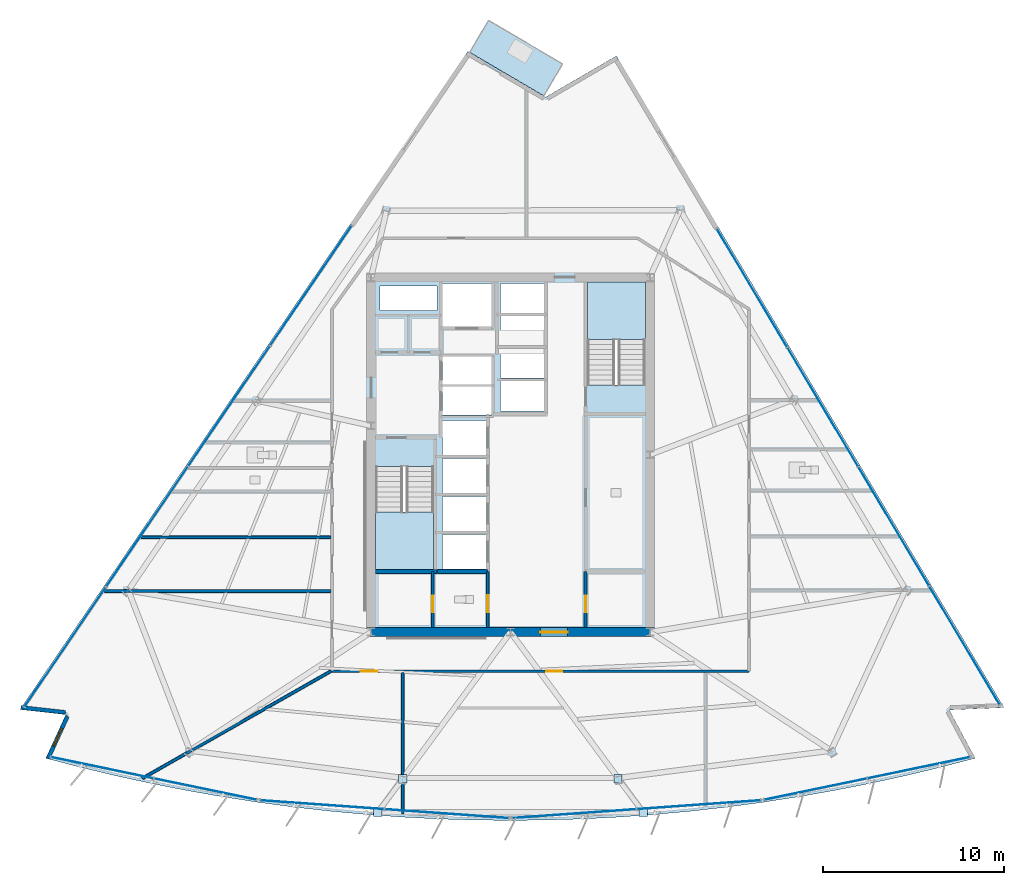
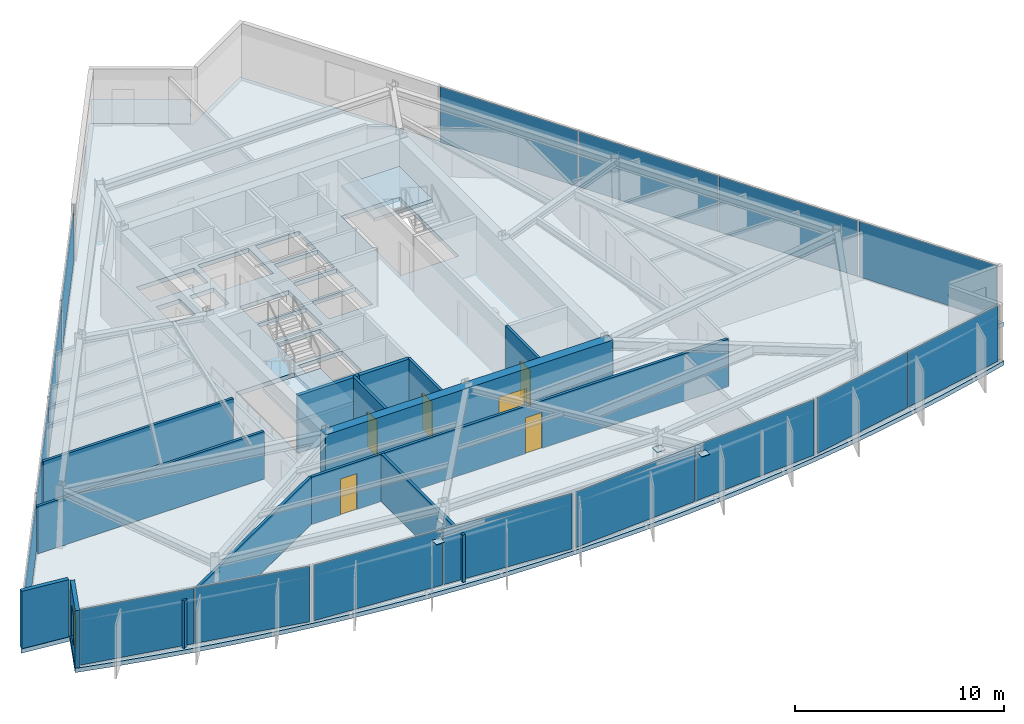
# One storey, part 8 of 16: 20 plates, 13 walls, 6 doors, 4 slabs, 1 window, 7 openings, 8 elements without a shape of their own.
"""IFC4 building model written with IfcOpenShell, lengths in metres."""

import ifcopenshell
import ifcopenshell.guid

model = None  # the IFC model being written
_history = None  # IfcOwnerHistory: only IFC2X3 demands one
_inside = {}  # id of a spatial element -> (the spatial element, [elements in it])
_under = {}  # id of a project, library or spatial element -> (it, [spatial elements below it])
_declared = {}  # id of a project -> (the project, [libraries it declares])
_typed = {}  # id of a type object -> (the type object, [elements of that type])
_made_of = {}  # id of a material, layer set ... -> (it, [elements and type objects made of it])


def new_model(schema):
    """Start an empty IFC model of exactly this schema.

    Asked for "IFC4X3", IfcOpenShell would pick the latest addendum, in which some entities
    have other attributes; the version numbers below select the first issue.
    IFC2X3 requires an IfcOwnerHistory on every rooted entity: one is made here for all.
    """
    global model, _history
    if schema == "IFC4X3":
        model = ifcopenshell.file(schema_version=(4, 3, 0, 0))
    else:
        model = ifcopenshell.file(schema=schema)
    _inside.clear()
    _under.clear()
    _declared.clear()
    _typed.clear()
    _made_of.clear()
    _history = None
    if model.schema == "IFC2X3":
        org = make("IfcOrganization", Name="unknown")
        user = make(
            "IfcPersonAndOrganization",
            ThePerson=make("IfcPerson", FamilyName="unknown"),
            TheOrganization=org,
        )
        app = make(
            "IfcApplication",
            ApplicationDeveloper=org,
            Version="unknown",
            ApplicationFullName="unknown",
            ApplicationIdentifier="unknown",
        )
        _history = make(
            "IfcOwnerHistory",
            OwningUser=user,
            OwningApplication=app,
            ChangeAction="ADDED",
            CreationDate=0,
        )
    return model


def make(cls, **values):
    """One entity of the class cls with the attributes given. An attribute that is None is left unset."""
    return model.create_entity(
        cls, **{name: value for name, value in values.items() if value is not None}
    )


def rooted(cls, **values):
    """An entity with a GlobalId (a new one), such as an element, a storey or a relation."""
    return make(cls, GlobalId=ifcopenshell.guid.new(), OwnerHistory=_history, **values)


def si_unit(unit_type, name, prefix=None):
    """IfcSIUnit, for example si_unit("LENGTHUNIT", "METRE", prefix="MILLI")."""
    return make("IfcSIUnit", UnitType=unit_type, Prefix=prefix, Name=name)


def assignment(units):
    """IfcUnitAssignment: the units of a project."""
    return None if units is None else make("IfcUnitAssignment", Units=units)


def point(xyz):
    """IfcCartesianPoint."""
    return None if xyz is None else make("IfcCartesianPoint", Coordinates=xyz)


def direction(xyz):
    """IfcDirection."""
    return None if xyz is None else make("IfcDirection", DirectionRatios=xyz)


def frame(location, z_axis=None, x_axis=None):
    """IfcAxis2Placement3D, a coordinate frame: its origin and axes. An axis left out is left unset."""
    return make(
        "IfcAxis2Placement3D",
        Location=point(location),
        Axis=direction(z_axis),
        RefDirection=direction(x_axis),
    )


def frame_2d(location, x_axis=None):
    """IfcAxis2Placement2D, a coordinate frame in the plane: its origin and x axis."""
    return make(
        "IfcAxis2Placement2D", Location=point(location), RefDirection=direction(x_axis)
    )


def origin():
    """The frame at (0, 0, 0) with its axes left unset."""
    return frame((0.0, 0.0, 0.0))


def origin_2d():
    """The frame at (0, 0) in the plane with its x axis left unset."""
    return frame_2d((0.0, 0.0))


def place(relative_to, where):
    """IfcLocalPlacement: puts the frame where relative to a parent placement (None: the world)."""
    return make(
        "IfcLocalPlacement", PlacementRelTo=relative_to, RelativePlacement=where
    )


def context(
    kind, dimensions, precision=None, world=None, true_north=None, identifier=None
):
    """IfcGeometricRepresentationContext, for example the 3D "Model" context."""
    return make(
        "IfcGeometricRepresentationContext",
        ContextIdentifier=identifier,
        ContextType=kind,
        CoordinateSpaceDimension=dimensions,
        Precision=precision,
        WorldCoordinateSystem=world,
        TrueNorth=true_north,
    )


def subcontext(parent, identifier, kind, view, scale=None):
    """IfcGeometricRepresentationSubContext, for example "Body" below "Model"."""
    return make(
        "IfcGeometricRepresentationSubContext",
        ContextIdentifier=identifier,
        ContextType=kind,
        ParentContext=parent,
        TargetScale=scale,
        TargetView=view,
    )


def project(units=None, contexts=None):
    """IfcProject with its units and contexts."""
    return rooted(
        "IfcProject",
        Name="project",
        RepresentationContexts=contexts,
        UnitsInContext=assignment(units),
    )


def spatial(cls, under=None, at=None, **own):
    """A site, building, storey or space (cls), placed at a placement, below another one or the project."""
    s = rooted(cls, ObjectPlacement=at, **own)
    if under is not None:
        _under.setdefault(under.id(), (under, []))[1].append(s)
    return s


def polyline(points):
    """IfcPolyline through the points."""
    return make("IfcPolyline", Points=[point(p) for p in points])


def profile(cls, at=None, kind="AREA", **sizes):
    """A parametric profile (cls). Its sizes go by their IFC names, for example OverallWidth=200.0."""
    return make(cls, ProfileType=kind, Position=at, **sizes)


def rectangle(**sizes):
    """IfcRectangleProfileDef."""
    return profile("IfcRectangleProfileDef", **sizes)


def outline(outer, holes=None, kind="AREA"):
    """IfcArbitraryClosedProfileDef: a profile drawn as a closed curve; with holes, ...WithVoids."""
    if holes is None:
        return make("IfcArbitraryClosedProfileDef", ProfileType=kind, OuterCurve=outer)
    return make(
        "IfcArbitraryProfileDefWithVoids",
        ProfileType=kind,
        OuterCurve=outer,
        InnerCurves=holes,
    )


def extrude(swept, where, along, depth):
    """IfcExtrudedAreaSolid: the profile swept, set in the frame where, extruded along a direction by depth."""
    return make(
        "IfcExtrudedAreaSolid",
        SweptArea=swept,
        Position=where,
        ExtrudedDirection=direction(along),
        Depth=depth,
    )


def shape(context_of_items, identifier, shape_type, items):
    """IfcShapeRepresentation: the items that make up one representation, for example the "Body"."""
    return make(
        "IfcShapeRepresentation",
        ContextOfItems=context_of_items,
        RepresentationIdentifier=identifier,
        RepresentationType=shape_type,
        Items=items,
    )


def material(Name=None, Category=None):
    """IfcMaterial."""
    return make("IfcMaterial", Name=Name, Category=Category)


def layer(
    of_material, thickness, ventilated=None, Name=None, Category=None, Priority=None
):
    """IfcMaterialLayer: one layer of a wall or slab, of a material (None: an air gap)."""
    return make(
        "IfcMaterialLayer",
        Material=of_material,
        LayerThickness=thickness,
        IsVentilated=ventilated,
        Name=Name,
        Category=Category,
        Priority=Priority,
    )


def layer_set(layers, Name=None):
    """IfcMaterialLayerSet."""
    return make("IfcMaterialLayerSet", MaterialLayers=layers, LayerSetName=Name)


def made_of(thing, what):
    """Note that an element or type object is made of a material, layer set ...; save() writes the relation."""
    if what is not None:
        _made_of.setdefault(what.id(), (what, []))[1].append(thing)
    return thing


def type_object(cls, material=None, **own):
    """A type object (cls), such as IfcWallType, which elements share."""
    return made_of(rooted(cls, **own), material)


def element(
    cls,
    number,
    at=None,
    inside=None,
    cuts=None,
    type_object=None,
    material=None,
    context=None,
    identifier="Body",
    shape_type=None,
    held_by="IfcProductDefinitionShape",
    body=None,
    shapes=None,
    **own,
):
    """One element of the class cls, such as IfcWall. Its Tag is "e" and its number.

    at: its placement. inside: the storey or other place that contains it. cuts: it is an
    opening in that element (IfcRelVoidsElement). A single representation is given by context,
    identifier, shape_type and body (its items); several are given by shapes. held_by: the class
    of the entity that holds the representations. save() writes the other relations.
    """
    e = rooted(cls, Tag="e%d" % number, ObjectPlacement=at, **own)
    if body is not None:
        shapes = [shape(context, identifier, shape_type, body)]
    if shapes is not None:
        e.Representation = make(held_by, Representations=shapes)
    if inside is not None:
        _inside.setdefault(inside.id(), (inside, []))[1].append(e)
    if cuts is not None:
        rooted(
            "IfcRelVoidsElement", RelatingBuildingElement=cuts, RelatedOpeningElement=e
        )
    if type_object is not None:
        _typed.setdefault(type_object.id(), (type_object, []))[1].append(e)
    return made_of(e, material)


def fill(opening, filler):
    """IfcRelFillsElement: the door or window that sits in an opening."""
    return rooted(
        "IfcRelFillsElement",
        RelatingOpeningElement=opening,
        RelatedBuildingElement=filler,
    )


def aggregate(whole, parts):
    """IfcRelAggregates: a whole, such as a stair, and the parts it consists of."""
    return rooted("IfcRelAggregates", RelatingObject=whole, RelatedObjects=parts)


def save(model, path):
    """Write the relations noted so far, then the file.

    IfcRelAggregates (storeys below a building ...), IfcRelContainedInSpatialStructure (elements
    in a storey), IfcRelDefinesByType, IfcRelAssociatesMaterial and IfcRelDeclares: one each for
    every whole, place, type object, material and project.
    """
    for whole, parts in _under.values():
        aggregate(whole, parts)
    for where, things in _inside.values():
        rooted(
            "IfcRelContainedInSpatialStructure",
            RelatedElements=things,
            RelatingStructure=where,
        )
    for kind, things in _typed.values():
        rooted("IfcRelDefinesByType", RelatedObjects=things, RelatingType=kind)
    for what, things in _made_of.values():
        rooted("IfcRelAssociatesMaterial", RelatedObjects=things, RelatingMaterial=what)
    for by, libraries in _declared.values():
        rooted("IfcRelDeclares", RelatingContext=by, RelatedDefinitions=libraries)
    model.write(path)


model = new_model("IFC4")

# Units and contexts
model_context = context("Model", 3, precision=1e-05, world=origin(), true_north=direction((0.0, 1.0)))
body_context = subcontext(model_context, "Body", "Model", "MODEL_VIEW")
ifc_project = project(units=[si_unit("LENGTHUNIT", "METRE"), si_unit("AREAUNIT", "SQUARE_METRE"), si_unit("VOLUMEUNIT", "CUBIC_METRE"), si_unit("PLANEANGLEUNIT", "RADIAN"), si_unit("MASSUNIT", "GRAM", prefix="KILO")], contexts=[model_context])

# Site, building, storey
site_placement = place(None, origin())
site = spatial("IfcSite", under=ifc_project, at=site_placement, CompositionType="ELEMENT")
building_placement = place(site_placement, origin())
building = spatial("IfcBuilding", under=site, at=building_placement, Name="Savorim Split Tower", CompositionType="ELEMENT")
storey_placement = place(building_placement, frame((0.0, 0.0, 156.60009765625)))
storey = spatial("IfcBuildingStorey", under=building, at=storey_placement, Name="L41", CompositionType="ELEMENT", Elevation=156.60009765625)

# Curtain wall, plates
ifc_material_1 = material(Name="Dark Ceramic-Fritted Insulated Glass", Category="glass")
curtain_wall_type = type_object("IfcCurtainWallType", Name="CW-TWR-FRIT-B", PredefinedType="NOTDEFINED", material=ifc_material_1)
curtain_wall_1_placement = place(storey_placement, origin())
curtain_wall_1 = element("IfcCurtainWall", 1, at=curtain_wall_1_placement, inside=storey, type_object=curtain_wall_type, Name="L41 Curtain Wall CW-L41-SF1", PredefinedType="NOTDEFINED")
ifc_layer_1 = layer(ifc_material_1, 0.02587890625)
ifc_layer_set_1 = layer_set([ifc_layer_1], Name="CWP-FRITB-26")
plate_type_1 = type_object("IfcPlateType", Name="CWP-FRITB-26", PredefinedType="CURTAIN_PANEL", material=ifc_layer_set_1)
plate_1_placement = place(storey_placement, frame((-22.554443359375, -16.89111328125, 0.0498046875), z_axis=(0.0, 0.0, 1.0), x_axis=(0.979135184824, -0.203209964912, 0.0)))
plate_1 = element("IfcPlate", 2, at=plate_1_placement, type_object=plate_type_1, Name="CW-03 panel 1.1", PredefinedType="CURTAIN_PANEL", context=body_context, shape_type="SweptSolid", body=[
    extrude(rectangle(XDim=5.76123046875, YDim=0.02587890625, at=origin_2d()), origin(), (0.0, 0.0, 1.0), 3.25),
])
plate_2_placement = place(storey_placement, frame((-16.8544921875, -18.07421875, 0.0498046875), z_axis=(0.0, 0.0, 1.0), x_axis=(0.979135184824, -0.203209964912, 0.0)))
plate_2 = element("IfcPlate", 3, at=plate_2_placement, type_object=plate_type_1, Name="CW-03 panel 2.1", PredefinedType="CURTAIN_PANEL", context=body_context, shape_type="SweptSolid", body=[
    extrude(rectangle(XDim=5.76123046875, YDim=0.02587890625, at=origin_2d()), origin(), (0.0, 0.0, 1.0), 3.25),
])
aggregate(curtain_wall_1, [plate_1, plate_2])

curtain_wall_2_placement = place(storey_placement, origin())
curtain_wall_2 = element("IfcCurtainWall", 4, at=curtain_wall_2_placement, inside=storey, type_object=curtain_wall_type, Name="L41 Curtain Wall CW-L41-SF2", PredefinedType="NOTDEFINED")
plate_3_placement = place(storey_placement, frame((-10.40234375, -18.93505859375, 0.0498046875), z_axis=(0.0, 0.0, 1.0), x_axis=(0.997436231017, -0.071560918492, 0.0)))
plate_3 = element("IfcPlate", 5, at=plate_3_placement, type_object=plate_type_1, Name="CW-03 panel 1.1", PredefinedType="CURTAIN_PANEL", context=body_context, shape_type="SweptSolid", body=[
    extrude(rectangle(XDim=6.83837890625, YDim=0.02587890625, at=origin_2d()), origin(), (0.0, 0.0, 1.0), 3.25),
])
plate_4_placement = place(storey_placement, frame((-3.521484375, -19.4287109375, 0.0498046875), z_axis=(0.0, 0.0, 1.0), x_axis=(0.997436231017, -0.071560918492, 0.0)))
plate_4 = element("IfcPlate", 6, at=plate_4_placement, type_object=plate_type_1, Name="CW-03 panel 2.1", PredefinedType="CURTAIN_PANEL", context=body_context, shape_type="SweptSolid", body=[
    extrude(rectangle(XDim=6.83837890625, YDim=0.02587890625, at=origin_2d()), origin(), (0.0, 0.0, 1.0), 3.25),
])
aggregate(curtain_wall_2, [plate_3, plate_4])

curtain_wall_3_placement = place(storey_placement, origin())
curtain_wall_3 = element("IfcCurtainWall", 7, at=curtain_wall_3_placement, inside=storey, type_object=curtain_wall_type, Name="L41 Curtain Wall CW-L41-SF3", PredefinedType="NOTDEFINED")
plate_5_placement = place(storey_placement, frame((3.521484375, -19.4287109375, 0.0498046875), z_axis=(0.0, 0.0, 1.0), x_axis=(0.997436231017, 0.071560918492, 0.0)))
plate_5 = element("IfcPlate", 8, at=plate_5_placement, type_object=plate_type_1, Name="CW-03 panel 1.1", PredefinedType="CURTAIN_PANEL", context=body_context, shape_type="SweptSolid", body=[
    extrude(rectangle(XDim=6.83837890625, YDim=0.02587890625, at=origin_2d()), origin(), (0.0, 0.0, 1.0), 3.25),
])
plate_6_placement = place(storey_placement, frame((10.40234375, -18.93505859375, 0.0498046875), z_axis=(0.0, 0.0, 1.0), x_axis=(0.997436231017, 0.071560918492, 0.0)))
plate_6 = element("IfcPlate", 9, at=plate_6_placement, type_object=plate_type_1, Name="CW-03 panel 2.1", PredefinedType="CURTAIN_PANEL", context=body_context, shape_type="SweptSolid", body=[
    extrude(rectangle(XDim=6.83837890625, YDim=0.02587890625, at=origin_2d()), origin(), (0.0, 0.0, 1.0), 3.25),
])
aggregate(curtain_wall_3, [plate_5, plate_6])

curtain_wall_4_placement = place(storey_placement, origin())
curtain_wall_4 = element("IfcCurtainWall", 10, at=curtain_wall_4_placement, inside=storey, type_object=curtain_wall_type, Name="L41 Curtain Wall CW-L41-SF4", PredefinedType="NOTDEFINED")
plate_7_placement = place(storey_placement, frame((16.8544921875, -18.07421875, 0.0498046875), z_axis=(0.0, 0.0, 1.0), x_axis=(0.979135184824, 0.203209964912, 0.0)))
plate_7 = element("IfcPlate", 11, at=plate_7_placement, type_object=plate_type_1, Name="CW-03 panel 1.1", PredefinedType="CURTAIN_PANEL", context=body_context, shape_type="SweptSolid", body=[
    extrude(rectangle(XDim=5.76123046875, YDim=0.02587890625, at=origin_2d()), origin(), (0.0, 0.0, 1.0), 3.25),
])
plate_8_placement = place(storey_placement, frame((22.554443359375, -16.89111328125, 0.0498046875), z_axis=(0.0, 0.0, 1.0), x_axis=(0.979135184824, 0.203209964912, 0.0)))
plate_8 = element("IfcPlate", 12, at=plate_8_placement, type_object=plate_type_1, Name="CW-03 panel 2.1", PredefinedType="CURTAIN_PANEL", context=body_context, shape_type="SweptSolid", body=[
    extrude(rectangle(XDim=5.76123046875, YDim=0.02587890625, at=origin_2d()), origin(), (0.0, 0.0, 1.0), 3.25),
])
aggregate(curtain_wall_4, [plate_7, plate_8])

curtain_wall_5_placement = place(storey_placement, origin())
curtain_wall_5 = element("IfcCurtainWall", 13, at=curtain_wall_5_placement, inside=storey, type_object=curtain_wall_type, Name="L41 Curtain Wall CW-L41-EAST", PredefinedType="NOTDEFINED")
plate_9_placement = place(storey_placement, frame((25.08154296875, -10.132568359375, 0.0498046875), z_axis=(0.0, 0.0, 1.0), x_axis=(-0.511091470039, 0.859526328423, 0.0)))
plate_9 = element("IfcPlate", 14, at=plate_9_placement, type_object=plate_type_1, Name="CW-03 panel 1.1", PredefinedType="CURTAIN_PANEL", context=body_context, shape_type="SweptSolid", body=[
    extrude(rectangle(XDim=7.579345703125, YDim=0.02587890625, at=origin_2d()), origin(), (0.0, 0.0, 1.0), 3.25),
])
plate_10_placement = place(storey_placement, frame((21.169677734375, -3.553466796875, 0.0498046875), z_axis=(0.0, 0.0, 1.0), x_axis=(-0.511091470039, 0.859526328423, 0.0)))
plate_10 = element("IfcPlate", 15, at=plate_10_placement, type_object=plate_type_1, Name="CW-03 panel 2.1", PredefinedType="CURTAIN_PANEL", context=body_context, shape_type="SweptSolid", body=[
    extrude(rectangle(XDim=7.609130859375, YDim=0.02587890625, at=origin_2d()), origin(), (0.0, 0.0, 1.0), 3.25),
])
plate_11_placement = place(storey_placement, frame((17.25, 3.038330078125, 0.0498046875), z_axis=(0.0, 0.0, 1.0), x_axis=(-0.511091470039, 0.859526328423, 0.0)))
plate_11 = element("IfcPlate", 16, at=plate_11_placement, type_object=plate_type_1, Name="CW-03 panel 3.1", PredefinedType="CURTAIN_PANEL", context=body_context, shape_type="SweptSolid", body=[
    extrude(rectangle(XDim=7.609130859375, YDim=0.02587890625, at=origin_2d()), origin(), (0.0, 0.0, 1.0), 3.25),
])
plate_12_placement = place(storey_placement, frame((13.337890625, 9.617431640625, 0.0498046875), z_axis=(0.0, 0.0, 1.0), x_axis=(-0.511091470039, 0.859526328423, 0.0)))
plate_12 = element("IfcPlate", 17, at=plate_12_placement, type_object=plate_type_1, Name="CW-03 panel 4.1", PredefinedType="CURTAIN_PANEL", context=body_context, shape_type="SweptSolid", body=[
    extrude(rectangle(XDim=7.579345703125, YDim=0.02587890625, at=origin_2d()), origin(), (0.0, 0.0, 1.0), 3.25),
])
aggregate(curtain_wall_5, [plate_9, plate_10, plate_11, plate_12])

curtain_wall_6_placement = place(storey_placement, origin())
curtain_wall_6 = element("IfcCurtainWall", 18, at=curtain_wall_6_placement, inside=storey, type_object=curtain_wall_type, Name="L41 Curtain Wall CW-L41-WEST", PredefinedType="NOTDEFINED")
plate_13_placement = place(storey_placement, frame((-11.0244140625, 9.73828125, 0.0498046875), z_axis=(0.0, 0.0, 1.0), x_axis=(-0.562466456356, -0.826820104662, 0.0)))
plate_13 = element("IfcPlate", 19, at=plate_13_placement, type_object=plate_type_1, Name="CW-03 panel 1.1", PredefinedType="CURTAIN_PANEL", context=body_context, shape_type="SweptSolid", body=[
    extrude(rectangle(XDim=7.965576171875, YDim=0.02587890625, at=origin_2d()), origin(), (0.0, 0.0, 1.0), 3.25),
])
plate_14_placement = place(storey_placement, frame((-15.547119140625, 3.090087890625, 0.0498046875), z_axis=(0.0, 0.0, 1.0), x_axis=(-0.562466456356, -0.826820104662, 0.0)))
plate_14 = element("IfcPlate", 20, at=plate_14_placement, type_object=plate_type_1, Name="CW-03 panel 2.1", PredefinedType="CURTAIN_PANEL", context=body_context, shape_type="SweptSolid", body=[
    extrude(rectangle(XDim=7.99560546875, YDim=0.02587890625, at=origin_2d()), origin(), (0.0, 0.0, 1.0), 3.25),
])
plate_15_placement = place(storey_placement, frame((-20.077880859375, -3.5703125, 0.0498046875), z_axis=(0.0, 0.0, 1.0), x_axis=(-0.562466456356, -0.826820104662, 0.0)))
plate_15 = element("IfcPlate", 21, at=plate_15_placement, type_object=plate_type_1, Name="CW-03 panel 3.1", PredefinedType="CURTAIN_PANEL", context=body_context, shape_type="SweptSolid", body=[
    extrude(rectangle(XDim=7.99560546875, YDim=0.02587890625, at=origin_2d()), origin(), (0.0, 0.0, 1.0), 3.25),
])
plate_16_placement = place(storey_placement, frame((-24.6005859375, -10.218505859375, 0.0498046875), z_axis=(0.0, 0.0, 1.0), x_axis=(-0.562466456356, -0.826820104662, 0.0)))
plate_16 = element("IfcPlate", 22, at=plate_16_placement, type_object=plate_type_1, Name="CW-03 panel 4.1", PredefinedType="CURTAIN_PANEL", context=body_context, shape_type="SweptSolid", body=[
    extrude(rectangle(XDim=7.965576171875, YDim=0.02587890625, at=origin_2d()), origin(), (0.0, 0.0, 1.0), 3.25),
])
aggregate(curtain_wall_6, [plate_13, plate_14, plate_15, plate_16])

# Plates
ifc_material_2 = material(Name="Steel S460", Category="steel")
ifc_layer_2 = layer(ifc_material_2, 0.02490234375)
ifc_layer_set_2 = layer_set([ifc_layer_2], Name="PLT-NODE-CN1")
plate_type_2 = type_object("IfcPlateType", Name="PLT-NODE-CN1", PredefinedType="SHEET", material=ifc_layer_set_2)
for number, where, z_axis, x_axis, name in (
    (23, (-5.943603515625, -17.498779296875, 2.4375), (0.0, 0.0, 1.0), (1.0, 0.0, 0.0), "L41 Bay Strut Column Gusset Plate 1"),
    (24, (-7.32958984375, -19.3505859375, 2.807373046875), (0.0, 0.0, 1.0), (1.0, 0.0, 0.0), "L41 Bay Strut Tip Gusset Plate 1"),
    (25, (5.943603515625, -17.498779296875, 2.4375), (0.0, 0.0, 1.0), (1.0, 0.0, 0.0), "L41 Bay Strut Column Gusset Plate 2"),
    (26, (7.32958984375, -19.3505859375, 2.807373046875), (0.0, 0.0, 1.0), (1.0, 0.0, 0.0), "L41 Bay Strut Tip Gusset Plate 2"),
):
    element("IfcPlate", number, at=place(storey_placement, frame(where, z_axis=z_axis, x_axis=x_axis)), inside=storey, type_object=plate_type_2, Name=name, PredefinedType="SHEET", context=body_context, shape_type="SweptSolid", body=[
        extrude(rectangle(XDim=0.4599609375, YDim=0.4599609375, at=origin_2d()), origin(), (0.0, 0.0, 1.0), 0.02490234375),
    ])

# Slab
ifc_material_3 = material(Name="Concrete C50/60", Category="concrete")
ifc_layer_3 = layer(ifc_material_3, 0.219970703125)
ifc_layer_set_3 = layer_set([ifc_layer_3], Name="SLB-BAL-220")
slab_type_1 = type_object("IfcSlabType", Name="SLB-BAL-220", PredefinedType="FLOOR", material=ifc_layer_set_3)
slab_1_placement = place(storey_placement, frame((0.0, 0.0, -0.22021484375)))
element("IfcSlab", 27, at=slab_1_placement, inside=storey, type_object=slab_type_1, Name="L41 Notched Corner Planted Tree Balcony Slab", PredefinedType="FLOOR", context=body_context, shape_type="SweptSolid", body=[
    extrude(outline(polyline([(-2.252197265625, 22.634521484375), (1.842529296875, 20.227783203125), (2.87890625, 21.990966796875), (-1.2158203125, 24.397705078125), (-2.252197265625, 22.634521484375)])), origin(), (0.0, 0.0, 1.0), 0.22021484375),
])

# Stair, slab
stair_type = type_object("IfcStairType", Name="STR-DOG-3600", PredefinedType="HALF_TURN_STAIR", material=ifc_material_3)
stair_1_placement = place(storey_placement, origin())
stair_1 = element("IfcStair", 28, at=stair_1_placement, inside=storey, type_object=stair_type, Name="L41 Core Protected Exit Stair ST-1", PredefinedType="HALF_TURN_STAIR")
ifc_layer_4 = layer(ifc_material_3, 0.199951171875)
ifc_layer_set_4 = layer_set([ifc_layer_4], Name="SLB-LND-200")
slab_type_2 = type_object("IfcSlabType", Name="SLB-LND-200", PredefinedType="LANDING", material=ifc_layer_set_4)
slab_2_placement = place(storey_placement, frame((0.0, 0.0, 1.599853515625)))
slab_2 = element("IfcSlab", 29, at=slab_2_placement, type_object=slab_type_2, Name="ST-1 landing 1", PredefinedType="LANDING", context=body_context, shape_type="SweptSolid", body=[
    extrude(outline(polyline([(-7.449951171875, -2.77001953125), (-7.449951171875, -5.949951171875), (-4.25, -5.949951171875), (-4.25, -2.77001953125), (-7.449951171875, -2.77001953125)])), origin(), (0.0, 0.0, 1.0), 0.199951171875),
])
aggregate(stair_1, [slab_2])

stair_2_placement = place(storey_placement, origin())
stair_2 = element("IfcStair", 30, at=stair_2_placement, inside=storey, type_object=stair_type, Name="L41 Core Protected Exit Stair ST-2", PredefinedType="HALF_TURN_STAIR")
slab_3_placement = place(storey_placement, frame((0.0, 0.0, 1.599853515625)))
slab_3 = element("IfcSlab", 31, at=slab_3_placement, type_object=slab_type_2, Name="ST-2 landing 1", PredefinedType="LANDING", context=body_context, shape_type="SweptSolid", body=[
    extrude(outline(polyline([(7.449951171875, 6.77001953125), (7.449951171875, 9.949951171875), (4.25, 9.949951171875), (4.25, 6.77001953125), (7.449951171875, 6.77001953125)])), origin(), (0.0, 0.0, 1.0), 0.199951171875),
])
aggregate(stair_2, [slab_3])

# Slab
ifc_layer_5 = layer(ifc_material_3, 0.25)
ifc_layer_set_5 = layer_set([ifc_layer_5], Name="SLB-TWR-250")
slab_type_3 = type_object("IfcSlabType", Name="SLB-TWR-250", PredefinedType="FLOOR", material=ifc_layer_set_5)
slab_4_placement = place(storey_placement, frame((0.0, 0.0, -0.25)))
element("IfcSlab", 32, at=slab_4_placement, inside=storey, type_object=slab_type_3, Name="L41 Structural Floor Slab", PredefinedType="FLOOR", context=body_context, shape_type="SweptSolid", body=[
    extrude(outline(polyline([(-25.673583984375, -16.366455078125), (-23.740234375, -16.8720703125), (-21.797119140625, -17.337890625), (-19.844482421875, -17.763916015625), (-17.8837890625, -18.150146484375), (-15.915771484375, -18.495849609375), (-13.94091796875, -18.801513671875), (-11.960205078125, -19.06640625), (-9.974609375, -19.291015625), (-7.984619140625, -19.474609375), (-5.991455078125, -19.61767578125), (-3.99560546875, -19.7197265625), (-1.998291015625, -19.78125), (0.0, -19.801513671875), (1.998291015625, -19.78125), (3.99560546875, -19.7197265625), (5.991455078125, -19.61767578125), (7.984619140625, -19.474609375), (9.974609375, -19.291015625), (11.960205078125, -19.06640625), (13.94091796875, -18.801513671875), (15.915771484375, -18.495849609375), (17.8837890625, -18.150146484375), (19.844482421875, -17.763916015625), (21.797119140625, -17.337890625), (23.740234375, -16.8720703125), (25.673583984375, -16.366455078125), (24.24169921875, -13.69775390625), (27.2646484375, -13.569091796875), (5.852294921875, 22.44091796875), (1.943603515625, 20.162841796875), (-2.358154296875, 22.69091796875), (-27.097412109375, -13.675537109375), (-24.567138671875, -13.9580078125), (-25.673583984375, -16.366455078125)]), holes=[polyline([(-7.449951171875, -0.25390625), (-7.449951171875, -5.949951171875), (-4.25, -5.949951171875), (-4.25, -0.25390625), (-7.449951171875, -0.25390625)]), polyline([(7.449951171875, 4.25390625), (7.449951171875, 9.949951171875), (4.25, 9.949951171875), (4.25, 4.25390625), (7.449951171875, 4.25390625)]), polyline([(-3.75, -5.89990234375), (-1.35009765625, -5.89990234375), (-1.35009765625, -4.0), (-3.75, -4.0), (-3.75, -5.89990234375)]), polyline([(-3.75, -3.800048828125), (-1.35009765625, -3.800048828125), (-1.35009765625, -1.89990234375), (-3.75, -1.89990234375), (-3.75, -3.800048828125)]), polyline([(-3.75, -1.699951171875), (-1.35009765625, -1.699951171875), (-1.35009765625, 0.199951171875), (-3.75, 0.199951171875), (-3.75, -1.699951171875)]), polyline([(-3.75, 0.39990234375), (-1.35009765625, 0.39990234375), (-1.35009765625, 2.300048828125), (-3.75, 2.300048828125), (-3.75, 0.39990234375)]), polyline([(-0.550048828125, 2.830078125), (1.85009765625, 2.830078125), (1.85009765625, 4.469970703125), (-0.550048828125, 4.469970703125), (-0.550048828125, 2.830078125)]), polyline([(-0.550048828125, 4.6298828125), (1.85009765625, 4.6298828125), (1.85009765625, 6.27001953125), (-0.550048828125, 6.27001953125), (-0.550048828125, 4.6298828125)]), polyline([(-0.550048828125, 6.429931640625), (1.85009765625, 6.429931640625), (1.85009765625, 8.070068359375), (-0.550048828125, 8.070068359375), (-0.550048828125, 6.429931640625)]), polyline([(-0.550048828125, 8.22998046875), (1.85009765625, 8.22998046875), (1.85009765625, 9.8701171875), (-0.550048828125, 9.8701171875), (-0.550048828125, 8.22998046875)]), polyline([(-3.75, 2.60009765625), (-1.050048828125, 2.60009765625), (-1.050048828125, 4.159912109375), (-3.75, 4.159912109375), (-3.75, 2.60009765625)]), polyline([(-3.75, 4.280029296875), (-1.050048828125, 4.280029296875), (-1.050048828125, 5.840087890625), (-3.75, 5.840087890625), (-3.75, 4.280029296875)]), polyline([(-3.75, 7.449951171875), (-0.949951171875, 7.449951171875), (-0.949951171875, 9.85009765625), (-3.75, 9.85009765625), (-3.75, 7.449951171875)]), polyline([(-7.219970703125, 6.320068359375), (-5.919921875, 6.320068359375), (-5.919921875, 7.820068359375), (-7.219970703125, 7.820068359375), (-7.219970703125, 6.320068359375)]), polyline([(-5.3798828125, 6.320068359375), (-4.050048828125, 6.320068359375), (-4.050048828125, 7.820068359375), (-5.3798828125, 7.820068359375), (-5.3798828125, 6.320068359375)]), polyline([(-7.219970703125, 8.360107421875), (-4.050048828125, 8.360107421875), (-4.050048828125, 9.719970703125), (-7.219970703125, 9.719970703125), (-7.219970703125, 8.360107421875)])]), origin(), (0.0, 0.0, 1.0), 0.25),
])

# Wall, opening, door
ifc_material_4 = material(Name="Concrete C60/75", Category="concrete")
ifc_layer_6 = layer(ifc_material_4, 0.5)
ifc_layer_set_6 = layer_set([ifc_layer_6], Name="WAL-COR-SH500")
wall_type_1 = type_object("IfcWallType", Name="WAL-COR-SH500", PredefinedType="SHEAR", material=ifc_layer_set_6)
wall_1_placement = place(storey_placement, frame((-7.949951171875, -9.39990234375, 0.0), z_axis=(0.0, 0.0, 1.0), x_axis=(1.0, 0.0, 0.0)))
wall_1 = element("IfcWall", 33, at=wall_1_placement, inside=storey, type_object=wall_type_1, Name="L41 Offset Core South Shear Wall", PredefinedType="SHEAR", context=body_context, shape_type="SweptSolid", body=[
    extrude(rectangle(XDim=15.89990234375, YDim=0.5, at=frame_2d((7.949951171875, 0.0))), origin(), (0.0, 0.0, 1.0), 3.349853515625),
])
opening_1_placement = place(wall_1_placement, frame((9.60009765625, 0.0, 0.0)))
opening_1 = element("IfcOpeningElement", 34, at=opening_1_placement, cuts=wall_1, Name="Opening DI-02", PredefinedType="OPENING", context=body_context, shape_type="SweptSolid", body=[
    extrude(rectangle(XDim=1.5, YDim=2.199951171875, at=frame_2d((0.75, 1.10009765625))), frame((0.0, 0.260009765625, 0.0), z_axis=(0.0, -1.0, 0.0), x_axis=(1.0, 0.0, 0.0)), (0.0, 0.0, 1.0), 0.52001953125),
])
ifc_material_5 = material(Name="Timber Fire Door Leaf", Category="wood")
door_type_1 = type_object("IfcDoorType", Name="DOR-DBL-1500", OperationType="NOTDEFINED", PredefinedType="DOOR", material=ifc_material_5)
door_1_placement = place(opening_1_placement, origin())
door_1 = element("IfcDoor", 35, at=door_1_placement, inside=storey, type_object=door_type_1, Name="DOR-L41-COR-LLOB - L41 Lift Lobby Main Rated Door", OperationType="DOUBLE_DOOR_SINGLE_SWING", OverallHeight=2.199951171875, OverallWidth=1.5, PredefinedType="DOOR", context=body_context, shape_type="SweptSolid", body=[
    extrude(rectangle(XDim=1.5, YDim=2.199951171875, at=frame_2d((0.75, 1.10009765625))), frame((0.0, 0.02490234375, 0.0), z_axis=(0.0, -1.0, 0.0), x_axis=(1.0, 0.0, 0.0)), (0.0, 0.0, 1.0), 0.050048828125),
])
fill(opening_1, door_1)

# Wall
ifc_material_6 = material(Name="Precast concrete C40/50", Category="concrete")
ifc_layer_7 = layer(ifc_material_6, 0.219970703125)
ifc_layer_set_7 = layer_set([ifc_layer_7], Name="WAL-EXT-CRN220")
wall_type_2 = type_object("IfcWallType", Name="WAL-EXT-CRN220", PredefinedType="SOLIDWALL", material=ifc_layer_set_7)
wall_2_placement = place(storey_placement, frame((-24.593505859375, -13.83447265625, 0.0), z_axis=(0.0, 0.0, 1.0), x_axis=(-0.993823222634, 0.110974781609, 0.0)))
element("IfcWall", 36, at=wall_2_placement, inside=storey, type_object=wall_type_2, Name="L41 Notched Corner Facade Wall SW1", PredefinedType="SOLIDWALL", context=body_context, shape_type="SweptSolid", body=[
    extrude(rectangle(XDim=2.466064453125, YDim=0.219970703125, at=frame_2d((1.23291015625, 0.0))), origin(), (0.0, 0.0, 1.0), 3.349853515625),
])

# Wall, opening, window
wall_3_placement = place(storey_placement, frame((-25.5478515625, -16.380126953125, 0.0), z_axis=(0.0, 0.0, 1.0), x_axis=(0.417449299542, 0.908700215864, 0.0)))
wall_3 = element("IfcWall", 37, at=wall_3_placement, inside=storey, type_object=wall_type_2, Name="L41 Notched Corner Facade Wall SW", PredefinedType="SOLIDWALL", context=body_context, shape_type="SweptSolid", body=[
    extrude(rectangle(XDim=2.5703125, YDim=0.219970703125, at=frame_2d((1.28515625, 0.0))), origin(), (0.0, 0.0, 1.0), 3.349853515625),
])
opening_2_placement = place(wall_3_placement, frame((0.735107421875, 0.0, 0.6201171875)))
opening_2 = element("IfcOpeningElement", 38, at=opening_2_placement, cuts=wall_3, Name="Opening WN-09", PredefinedType="OPENING", context=body_context, shape_type="SweptSolid", body=[
    extrude(rectangle(XDim=1.10009765625, YDim=1.800048828125, at=frame_2d((0.550048828125, 0.89990234375))), frame((0.0, 0.119873046875, 0.0), z_axis=(0.0, -1.0, 0.0), x_axis=(1.0, 0.0, 0.0)), (0.0, 0.0, 1.0), 0.239990234375),
])
ifc_material_7 = material(Name="Low-E Operable Double Glazing", Category="glass")
window_type = type_object("IfcWindowType", Name="WIN-TWR-1100x1800", PartitioningType="SINGLE_PANEL", PredefinedType="WINDOW", material=ifc_material_7)
window_placement = place(opening_2_placement, origin())
window = element("IfcWindow", 39, at=window_placement, inside=storey, type_object=window_type, Name="L41 Operable Corner Window SW", OverallHeight=1.800048828125, OverallWidth=1.10009765625, PartitioningType="SINGLE_PANEL", PredefinedType="WINDOW", context=body_context, shape_type="SweptSolid", body=[
    extrude(rectangle(XDim=1.10009765625, YDim=1.800048828125, at=frame_2d((0.550048828125, 0.89990234375))), frame((0.0, 0.030029296875, 0.0), z_axis=(0.0, -1.0, 0.0), x_axis=(1.0, 0.0, 0.0)), (0.0, 0.0, 1.0), 0.06005859375),
])
fill(opening_2, window)

# Walls
ifc_layer_8 = layer(ifc_material_3, 0.199951171875)
ifc_layer_set_8 = layer_set([ifc_layer_8], Name="WAL-INT-RC200")
wall_type_3 = type_object("IfcWallType", Name="WAL-INT-RC200", PredefinedType="SOLIDWALL", material=ifc_layer_set_8)
wall_4_placement = place(storey_placement, frame((-7.449951171875, -6.050048828125, 0.0), z_axis=(0.0, 0.0, 1.0), x_axis=(1.0, 0.0, 0.0)))
element("IfcWall", 40, at=wall_4_placement, inside=storey, type_object=wall_type_3, Name="L41 Structural Shaft Wall W-L41-KSEP-W", PredefinedType="SOLIDWALL", context=body_context, shape_type="SweptSolid", body=[
    extrude(rectangle(XDim=3.39990234375, YDim=0.199951171875, at=frame_2d((1.699951171875, 0.0))), origin(), (0.0, 0.0, 1.0), 3.349853515625),
])
wall_5_placement = place(storey_placement, frame((-4.0400390625, -6.050048828125, 0.0), z_axis=(0.0, 0.0, 1.0), x_axis=(1.0, 0.0, 0.0)))
element("IfcWall", 41, at=wall_5_placement, inside=storey, type_object=wall_type_3, Name="L41 Partition W-L41-KSEP-W2", PredefinedType="SOLIDWALL", context=body_context, shape_type="SweptSolid", body=[
    extrude(rectangle(XDim=2.7900390625, YDim=0.199951171875, at=frame_2d((1.39501953125, 0.0))), origin(), (0.0, 0.0, 1.0), 3.349853515625),
])

# Wall, opening, door
ifc_material_8 = material(Name="Acoustic Gypsum Partition Board")
ifc_layer_9 = layer(ifc_material_8, 0.14990234375)
ifc_layer_set_9 = layer_set([ifc_layer_9], Name="WAL-PAR-150")
wall_type_4 = type_object("IfcWallType", Name="WAL-PAR-150", PredefinedType="PARTITIONING", material=ifc_layer_set_9)
wall_6_placement = place(storey_placement, frame((-1.25, -9.14501953125, 0.0), z_axis=(0.0, 0.0, 1.0), x_axis=(0.0, 1.0, 0.0)))
wall_6 = element("IfcWall", 42, at=wall_6_placement, inside=storey, type_object=wall_type_4, Name="L41 Partition W-L41-KLOB-W", PredefinedType="PARTITIONING", context=body_context, shape_type="SweptSolid", body=[
    extrude(rectangle(XDim=3.094970703125, YDim=0.14990234375, at=frame_2d((1.54736328125, 0.0))), origin(), (0.0, 0.0, 1.0), 3.349853515625),
])
opening_3_placement = place(wall_6_placement, frame((0.844970703125, 0.0, 0.0)))
opening_3 = element("IfcOpeningElement", 43, at=opening_3_placement, cuts=wall_6, Name="Opening DI-10", PredefinedType="OPENING", context=body_context, shape_type="SweptSolid", body=[
    extrude(rectangle(XDim=0.949951171875, YDim=2.10009765625, at=frame_2d((0.47509765625, 1.050048828125))), frame((0.0, 0.0849609375, 0.0), z_axis=(0.0, -1.0, 0.0), x_axis=(1.0, 0.0, 0.0)), (0.0, 0.0, 1.0), 0.169921875),
])
ifc_material_9 = material(Name="Oak Veneer Acoustic Door")
door_type_2 = type_object("IfcDoorType", Name="DOR-WC-950", OperationType="NOTDEFINED", PredefinedType="DOOR", material=ifc_material_9)
door_2_placement = place(opening_3_placement, origin())
door_2 = element("IfcDoor", 44, at=door_2_placement, inside=storey, type_object=door_type_2, Name="DR-L41-K1WC - L41 Core Accessible WC Door", OperationType="SINGLE_SWING_LEFT", OverallHeight=2.10009765625, OverallWidth=0.949951171875, PredefinedType="DOOR", context=body_context, shape_type="SweptSolid", body=[
    extrude(rectangle(XDim=0.949951171875, YDim=2.10009765625, at=frame_2d((0.47509765625, 1.050048828125))), frame((0.0, 0.02490234375, 0.0), z_axis=(0.0, -1.0, 0.0), x_axis=(1.0, 0.0, 0.0)), (0.0, 0.0, 1.0), 0.050048828125),
])
fill(opening_3, door_2)

wall_7_placement = place(storey_placement, frame((4.14990234375, -9.14501953125, 0.0), z_axis=(0.0, 0.0, 1.0), x_axis=(0.0, 1.0, 0.0)))
wall_7 = element("IfcWall", 45, at=wall_7_placement, inside=storey, type_object=wall_type_4, Name="L41 Partition W-L41-KLOB-E", PredefinedType="PARTITIONING", context=body_context, shape_type="SweptSolid", body=[
    extrude(rectangle(XDim=3.094970703125, YDim=0.14990234375, at=frame_2d((1.54736328125, 0.0))), origin(), (0.0, 0.0, 1.0), 3.349853515625),
])
opening_4_placement = place(wall_7_placement, frame((0.844970703125, 0.0, 0.0)))
opening_4 = element("IfcOpeningElement", 46, at=opening_4_placement, cuts=wall_7, Name="Opening DI-06", PredefinedType="OPENING", context=body_context, shape_type="SweptSolid", body=[
    extrude(rectangle(XDim=0.89990234375, YDim=2.10009765625, at=frame_2d((0.449951171875, 1.050048828125))), frame((0.0, 0.0849609375, 0.0), z_axis=(0.0, -1.0, 0.0), x_axis=(1.0, 0.0, 0.0)), (0.0, 0.0, 1.0), 0.169921875),
])
door_type_3 = type_object("IfcDoorType", Name="DOR-FIR-900", OperationType="NOTDEFINED", PredefinedType="DOOR", material=ifc_material_5)
door_3_placement = place(opening_4_placement, origin())
door_3 = element("IfcDoor", 47, at=door_3_placement, inside=storey, type_object=door_type_3, Name="DR-L41-K1IT - L41 Core IT Room Door", OperationType="SINGLE_SWING_LEFT", OverallHeight=2.10009765625, OverallWidth=0.89990234375, PredefinedType="DOOR", context=body_context, shape_type="SweptSolid", body=[
    extrude(rectangle(XDim=0.89990234375, YDim=2.10009765625, at=frame_2d((0.449951171875, 1.050048828125))), frame((0.0, 0.02490234375, 0.0), z_axis=(0.0, -1.0, 0.0), x_axis=(1.0, 0.0, 0.0)), (0.0, 0.0, 1.0), 0.050048828125),
])
fill(opening_4, door_3)

wall_8_placement = place(storey_placement, frame((-4.300048828125, -9.14501953125, 0.0), z_axis=(0.0, 0.0, 1.0), x_axis=(0.0, 1.0, 0.0)))
wall_8 = element("IfcWall", 48, at=wall_8_placement, inside=storey, type_object=wall_type_4, Name="L41 Partition W-L41-K1W", PredefinedType="PARTITIONING", context=body_context, shape_type="SweptSolid", body=[
    extrude(rectangle(XDim=3.094970703125, YDim=0.14990234375, at=frame_2d((1.54736328125, 0.0))), origin(), (0.0, 0.0, 1.0), 3.349853515625),
])
opening_5_placement = place(wall_8_placement, frame((0.844970703125, 0.0, 0.0)))
opening_5 = element("IfcOpeningElement", 49, at=opening_5_placement, cuts=wall_8, Name="Opening DI-06", PredefinedType="OPENING", context=body_context, shape_type="SweptSolid", body=[
    extrude(rectangle(XDim=0.89990234375, YDim=2.10009765625, at=frame_2d((0.449951171875, 1.050048828125))), frame((0.0, 0.0849609375, 0.0), z_axis=(0.0, -1.0, 0.0), x_axis=(1.0, 0.0, 0.0)), (0.0, 0.0, 1.0), 0.169921875),
])
door_4_placement = place(opening_5_placement, origin())
door_4 = element("IfcDoor", 50, at=door_4_placement, inside=storey, type_object=door_type_3, Name="DR-L41-K1HK - L41 Housekeeping Store Door", OperationType="SINGLE_SWING_RIGHT", OverallHeight=2.10009765625, OverallWidth=0.89990234375, PredefinedType="DOOR", context=body_context, shape_type="SweptSolid", body=[
    extrude(rectangle(XDim=0.89990234375, YDim=2.10009765625, at=frame_2d((0.449951171875, 1.050048828125))), frame((0.0, 0.02490234375, 0.0), z_axis=(0.0, -1.0, 0.0), x_axis=(1.0, 0.0, 0.0)), (0.0, 0.0, 1.0), 0.050048828125),
])
fill(opening_5, door_4)

# Wall, openings, doors
wall_9_placement = place(storey_placement, frame((13.179931640625, -11.56005859375, 0.0), z_axis=(0.0, 0.0, 1.0), x_axis=(-1.0, 0.0, 0.0)))
wall_9 = element("IfcWall", 51, at=wall_9_placement, inside=storey, type_object=wall_type_4, Name="L41 Partition W-L41-COR-06", PredefinedType="PARTITIONING", context=body_context, shape_type="SweptSolid", body=[
    extrude(rectangle(XDim=23.0400390625, YDim=0.14990234375, at=frame_2d((11.52001953125, 0.0))), origin(), (0.0, 0.0, 1.0), 2.77490234375),
])
opening_6_placement = place(wall_9_placement, frame((20.544921875, 0.0, 0.0)))
opening_6 = element("IfcOpeningElement", 52, at=opening_6_placement, cuts=wall_9, Name="Opening DI-06", PredefinedType="OPENING", context=body_context, shape_type="SweptSolid", body=[
    extrude(rectangle(XDim=0.89990234375, YDim=2.10009765625, at=frame_2d((0.449951171875, 1.050048828125))), frame((0.0, 0.0849609375, 0.0), z_axis=(0.0, -1.0, 0.0), x_axis=(1.0, 0.0, 0.0)), (0.0, 0.0, 1.0), 0.169921875),
])
opening_7_placement = place(wall_9_placement, frame((10.309326171875, 0.0, 0.0)))
opening_7 = element("IfcOpeningElement", 53, at=opening_7_placement, cuts=wall_9, Name="Opening DI-06", PredefinedType="OPENING", context=body_context, shape_type="SweptSolid", body=[
    extrude(rectangle(XDim=0.89990234375, YDim=2.10009765625, at=frame_2d((0.449951171875, 1.050048828125))), frame((0.0, 0.0849609375, 0.0), z_axis=(0.0, -1.0, 0.0), x_axis=(1.0, 0.0, 0.0)), (0.0, 0.0, 1.0), 0.169921875),
])
door_5_placement = place(opening_6_placement, origin())
door_5 = element("IfcDoor", 54, at=door_5_placement, inside=storey, type_object=door_type_3, Name="DR-L41-RM06 - L41 Co-Working Commons Entry Door", OperationType="SINGLE_SWING_LEFT", OverallHeight=2.10009765625, OverallWidth=0.89990234375, PredefinedType="DOOR", context=body_context, shape_type="SweptSolid", body=[
    extrude(rectangle(XDim=0.89990234375, YDim=2.10009765625, at=frame_2d((0.449951171875, 1.050048828125))), frame((0.0, 0.02490234375, 0.0), z_axis=(0.0, -1.0, 0.0), x_axis=(1.0, 0.0, 0.0)), (0.0, 0.0, 1.0), 0.050048828125),
])
fill(opening_6, door_5)
door_6_placement = place(opening_7_placement, origin())
door_6 = element("IfcDoor", 55, at=door_6_placement, inside=storey, type_object=door_type_3, Name="DR-L41-RM07 - L41 Co-Working Commons Entry Door", OperationType="SINGLE_SWING_RIGHT", OverallHeight=2.10009765625, OverallWidth=0.89990234375, PredefinedType="DOOR", context=body_context, shape_type="SweptSolid", body=[
    extrude(rectangle(XDim=0.89990234375, YDim=2.10009765625, at=frame_2d((0.449951171875, 1.050048828125))), frame((0.0, 0.02490234375, 0.0), z_axis=(0.0, -1.0, 0.0), x_axis=(1.0, 0.0, 0.0)), (0.0, 0.0, 1.0), 0.050048828125),
])
fill(opening_7, door_6)

# Walls
wall_10_placement = place(storey_placement, frame((-9.9033203125, -11.5458984375, 0.0), z_axis=(0.0, 0.0, 1.0), x_axis=(-0.869263564657, -0.49434892046, 0.0)))
element("IfcWall", 56, at=wall_10_placement, inside=storey, type_object=wall_type_4, Name="L41 Partition W-L41-PRAD01", PredefinedType="PARTITIONING", context=body_context, shape_type="SweptSolid", body=[
    extrude(rectangle(XDim=12.00732421875, YDim=0.14990234375, at=frame_2d((6.003662109375, 0.0))), origin(), (0.0, 0.0, 1.0), 2.77490234375),
])
wall_11_placement = place(storey_placement, frame((-5.9482421875, -11.6201171875, 0.0), z_axis=(0.0, 0.0, 1.0), x_axis=(0.0, -1.0, 0.0)))
element("IfcWall", 57, at=wall_11_placement, inside=storey, type_object=wall_type_4, Name="L41 Partition W-L41-PRAD02", PredefinedType="PARTITIONING", context=body_context, shape_type="SweptSolid", body=[
    extrude(rectangle(XDim=7.82958984375, YDim=0.14990234375, at=frame_2d((3.914794921875, 0.0))), origin(), (0.0, 0.0, 1.0), 2.77490234375),
])
wall_12_placement = place(storey_placement, frame((-9.919921875, -7.13037109375, 0.0), z_axis=(0.0, 0.0, 1.0), x_axis=(-1.0, 0.0, 0.0)))
element("IfcWall", 58, at=wall_12_placement, inside=storey, type_object=wall_type_4, Name="L41 Partition W-L41-PRAD10", PredefinedType="PARTITIONING", context=body_context, shape_type="SweptSolid", body=[
    extrude(rectangle(XDim=12.519287109375, YDim=0.14990234375, at=frame_2d((6.259765625, 0.0))), origin(), (0.0, 0.0, 1.0), 2.77490234375),
])
wall_13_placement = place(storey_placement, frame((-9.919921875, -4.153564453125, 0.0), z_axis=(0.0, 0.0, 1.0), x_axis=(-0.999999999729, 2.3263929e-05, 0.0)))
element("IfcWall", 59, at=wall_13_placement, inside=storey, type_object=wall_type_4, Name="L41 Partition W-L41-SUB03", PredefinedType="PARTITIONING", context=body_context, shape_type="SweptSolid", body=[
    extrude(rectangle(XDim=10.494384765625, YDim=0.14990234375, at=frame_2d((5.2470703125, 0.0))), origin(), (0.0, 0.0, 1.0), 2.885009765625),
])

save(model, "model.ifc")
